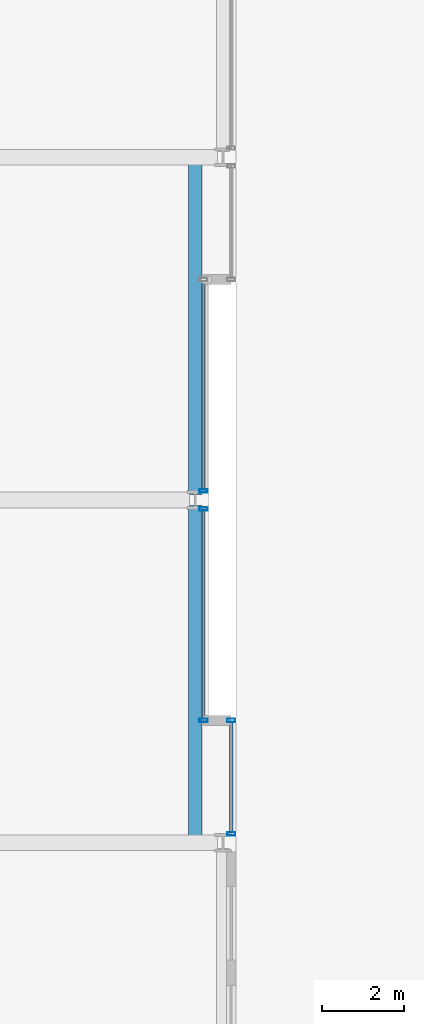
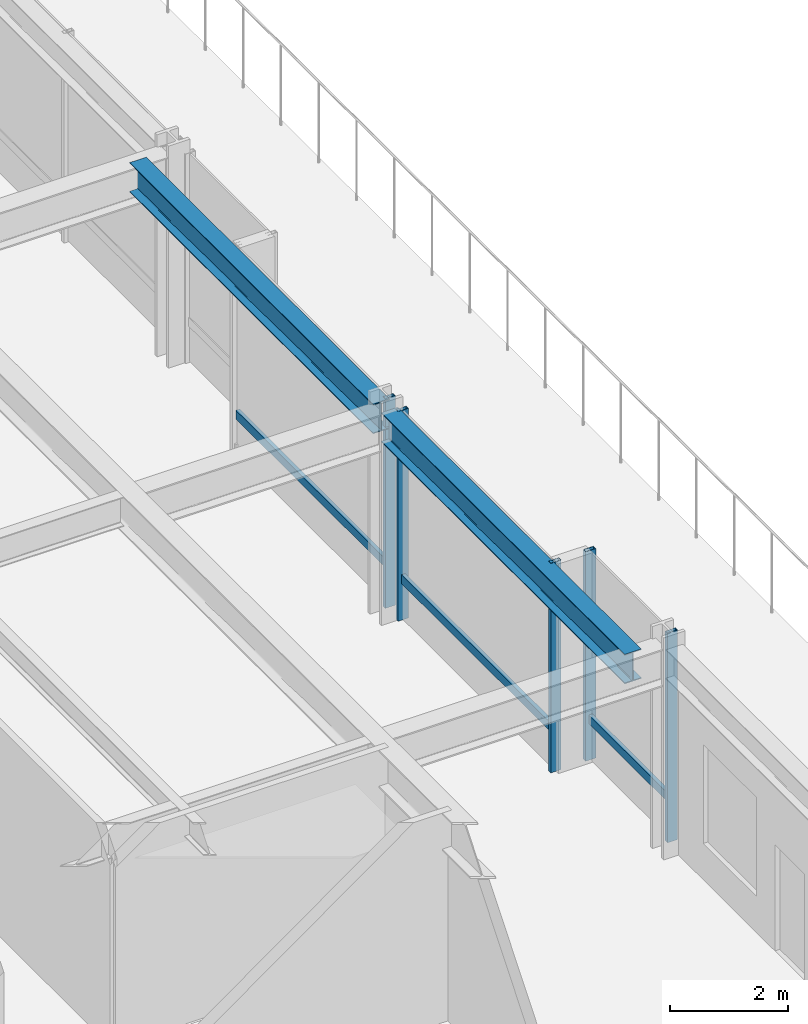
# One storey, part 15 of 33: 8 members, 2 beams, 3 elements without a shape of their own.
"""IFC4 building model written with IfcOpenShell, lengths in metres."""

from ifc_helpers import new_model, si_unit, direction, frame, origin, origin_2d, place, context, subcontext, project, spatial, hollow_rectangle, i_section, extrude, material, layer, layer_set, material_profile, profile_set, type_object, element, aggregate, save


model = new_model("IFC4")

# Units and contexts
model_context = context("Model", 3, precision=1e-05, world=origin(), true_north=direction((0.0, 1.0)))
body_context = subcontext(model_context, "Body", "Model", "MODEL_VIEW")
ifc_project = project(units=[si_unit("LENGTHUNIT", "METRE"), si_unit("AREAUNIT", "SQUARE_METRE"), si_unit("VOLUMEUNIT", "CUBIC_METRE"), si_unit("PLANEANGLEUNIT", "RADIAN"), si_unit("MASSUNIT", "GRAM", prefix="KILO")], contexts=[model_context])

# Site, building, storey
site_placement = place(None, origin())
site = spatial("IfcSite", under=ifc_project, at=site_placement, CompositionType="ELEMENT")
building_placement = place(site_placement, origin())
building = spatial("IfcBuilding", under=site, at=building_placement, Name="Drelvath Grand Hotel", CompositionType="ELEMENT")
storey_placement = place(building_placement, frame((0.0, 0.0, 87.199951171875)))
storey = spatial("IfcBuildingStorey", under=building, at=storey_placement, Name="L21", CompositionType="ELEMENT", Elevation=87.199951171875)

# Curtain wall, member
ifc_material_1 = material(Name="Champagne Bronze Anodised Aluminium Frame", Category="aluminium")
ifc_layer = layer(ifc_material_1, 0.199951171875)
ifc_layer_set = layer_set([ifc_layer], Name="Champagne Bronze Anodised Aluminium Frame")
curtain_wall_type = type_object("IfcCurtainWallType", Name="Stick Curtain Wall CW-03 Champagne Bronze Mid-Rise", PredefinedType="NOTDEFINED", material=ifc_layer_set)
curtain_wall_1_placement = place(storey_placement, origin())
curtain_wall_1 = element("IfcCurtainWall", 1, at=curtain_wall_1_placement, inside=storey, type_object=curtain_wall_type, Name="L21 CW-03 Curtain Wall CW03-L21-EM1", PredefinedType="NOTDEFINED")
ifc_material_profile_1 = material_profile(ifc_material_1, hollow_rectangle(XDim=0.074951171875, YDim=0.179931640625, WallThickness=0.0048828125, at=origin_2d()), Name="HSS180X75X5")
ifc_profile_set_1 = profile_set([ifc_material_profile_1], Name="Champagne Bronze Anodised Aluminium Frame")
member_type_1 = type_object("IfcMemberType", Name="Curtain Wall Horizontal Transom CW-03 HSS180X75X5", PredefinedType="USERDEFINED", material=ifc_profile_set_1)
member_1_placement = place(storey_placement, frame((21.39990234375, 26.740478515625, 0.85009765625), z_axis=(0.0, -1.0, 0.0), x_axis=(1.0, 0.0, 0.0)))
member_1 = element("IfcMember", 2, at=member_1_placement, type_object=member_type_1, Name="CW03-L21-EM1 Sill Transom", ObjectType="TRANSOM", PredefinedType="USERDEFINED", context=body_context, shape_type="SweptSolid", body=[
    extrude(hollow_rectangle(XDim=0.074951171875, YDim=0.179931640625, WallThickness=0.0048828125, at=origin_2d()), origin(), (0.0, 0.0, 1.0), 5.1005859375),
])

curtain_wall_2_placement = place(storey_placement, origin())
curtain_wall_2 = element("IfcCurtainWall", 3, at=curtain_wall_2_placement, inside=storey, type_object=curtain_wall_type, Name="L21 CW-03 Curtain Wall CW03-L21-EM2", PredefinedType="NOTDEFINED")
member_2_placement = place(storey_placement, frame((21.39990234375, 32.360107421875, 0.85009765625), z_axis=(0.0, -1.0, 0.0), x_axis=(1.0, 0.0, 0.0)))
member_2 = element("IfcMember", 4, at=member_2_placement, type_object=member_type_1, Name="CW03-L21-EM2 Sill Transom", ObjectType="TRANSOM", PredefinedType="USERDEFINED", context=body_context, shape_type="SweptSolid", body=[
    extrude(hollow_rectangle(XDim=0.074951171875, YDim=0.179931640625, WallThickness=0.0048828125, at=origin_2d()), origin(), (0.0, 0.0, 1.0), 5.1005859375),
])

curtain_wall_3_placement = place(storey_placement, origin())
curtain_wall_3 = element("IfcCurtainWall", 5, at=curtain_wall_3_placement, inside=storey, type_object=curtain_wall_type, Name="L21 CW-03 Curtain Wall CW03-L21-ES3", PredefinedType="NOTDEFINED")
member_3_placement = place(storey_placement, frame((22.080078125, 21.56005859375, 0.85009765625), z_axis=(0.0, -1.0, 0.0), x_axis=(1.0, 0.0, 0.0)))
member_3 = element("IfcMember", 6, at=member_3_placement, type_object=member_type_1, Name="CW03-L21-ES3 Sill Transom", ObjectType="TRANSOM", PredefinedType="USERDEFINED", context=body_context, shape_type="SweptSolid", body=[
    extrude(hollow_rectangle(XDim=0.074951171875, YDim=0.179931640625, WallThickness=0.0048828125, at=origin_2d()), origin(), (0.0, 0.0, 1.0), 2.700439453125),
])

# Member
ifc_material_profile_2 = material_profile(ifc_material_1, hollow_rectangle(XDim=0.080078125, YDim=0.199951171875, WallThickness=0.0048828125, at=origin_2d()), Name="HSS200X80X5")
ifc_profile_set_2 = profile_set([ifc_material_profile_2], Name="Champagne Bronze Anodised Aluminium Frame")
member_type_2 = type_object("IfcMemberType", Name="Curtain Wall Vertical Mullion CW-03 HSS200X80X5", PredefinedType="MULLION", material=ifc_profile_set_2)
member_4_placement = place(storey_placement, frame((21.39990234375, 26.780517578125, 0.0), z_axis=(0.0, 0.0, 1.0), x_axis=(0.0, 1.0, 0.0)))
member_4 = element("IfcMember", 7, at=member_4_placement, type_object=member_type_2, Name="CW03-L21-EM1 Mullion 1", PredefinedType="MULLION", context=body_context, shape_type="SweptSolid", body=[
    extrude(hollow_rectangle(XDim=0.080078125, YDim=0.199951171875, WallThickness=0.0048828125, at=origin_2d()), origin(), (0.0, 0.0, 1.0), 4.340087890625),
])

member_5_placement = place(storey_placement, frame((21.39990234375, 21.60009765625, 0.0), z_axis=(0.0, 0.0, 1.0), x_axis=(0.0, 1.0, 0.0)))
member_5 = element("IfcMember", 8, at=member_5_placement, type_object=member_type_2, Name="CW03-L21-EM1 Mullion 2", PredefinedType="MULLION", context=body_context, shape_type="SweptSolid", body=[
    extrude(hollow_rectangle(XDim=0.080078125, YDim=0.199951171875, WallThickness=0.0048828125, at=origin_2d()), origin(), (0.0, 0.0, 1.0), 4.340087890625),
])

aggregate(curtain_wall_1, [member_4, member_5, member_1])

member_6_placement = place(storey_placement, frame((21.39990234375, 27.219482421875, 0.0), z_axis=(0.0, 0.0, 1.0), x_axis=(0.0, 1.0, 0.0)))
member_6 = element("IfcMember", 9, at=member_6_placement, type_object=member_type_2, Name="CW03-L21-EM2 Mullion 2", PredefinedType="MULLION", context=body_context, shape_type="SweptSolid", body=[
    extrude(hollow_rectangle(XDim=0.080078125, YDim=0.199951171875, WallThickness=0.0048828125, at=origin_2d()), origin(), (0.0, 0.0, 1.0), 4.340087890625),
])

aggregate(curtain_wall_2, [member_6, member_2])

member_7_placement = place(storey_placement, frame((22.080078125, 21.60009765625, 0.0), z_axis=(0.0, 0.0, 1.0), x_axis=(0.0, 1.0, 0.0)))
member_7 = element("IfcMember", 10, at=member_7_placement, type_object=member_type_2, Name="CW03-L21-ES3 Mullion 1", PredefinedType="MULLION", context=body_context, shape_type="SweptSolid", body=[
    extrude(hollow_rectangle(XDim=0.080078125, YDim=0.199951171875, WallThickness=0.0048828125, at=origin_2d()), origin(), (0.0, 0.0, 1.0), 4.340087890625),
])

member_8_placement = place(storey_placement, frame((22.080078125, 18.819580078125, 0.0), z_axis=(0.0, 0.0, 1.0), x_axis=(0.0, 1.0, 0.0)))
member_8 = element("IfcMember", 11, at=member_8_placement, type_object=member_type_2, Name="CW03-L21-ES3 Mullion 2", PredefinedType="MULLION", context=body_context, shape_type="SweptSolid", body=[
    extrude(hollow_rectangle(XDim=0.080078125, YDim=0.199951171875, WallThickness=0.0048828125, at=origin_2d()), origin(), (0.0, 0.0, 1.0), 4.340087890625),
])

aggregate(curtain_wall_3, [member_7, member_8, member_3])

# Beams
ifc_material_2 = material(Name="Steel ASTM A992 Gr 50", Category="steel")
ifc_material_profile_3 = material_profile(ifc_material_2, i_section(OverallWidth=0.323974609375, OverallDepth=0.611083984375, WebThickness=0.0126953125, FlangeThickness=0.01904296875, FilletRadius=0.02197265625, at=origin_2d()), Name="W24X104")
ifc_profile_set_3 = profile_set([ifc_material_profile_3], Name="Steel ASTM A992 Gr 50")
beam_type = type_object("IfcBeamType", Name="Perimeter Spandrel Beam W24X104", PredefinedType="SPANDREL", material=ifc_profile_set_3)
for number, where, z_axis, x_axis, name in (
    (12, (21.199951171875, 18.60009765625, 4.03466796875), (0.0, 1.0, 0.0), (-1.0, 0.0, 0.0), "L21 Spandrel East Mid S"),
    (13, (21.199951171875, 27.139892578125, 4.03466796875), (0.0, 1.0, 0.0), (-1.0, 0.0, 0.0), "L21 Spandrel East Mid N"),
):
    element("IfcBeam", number, at=place(storey_placement, frame(where, z_axis=z_axis, x_axis=x_axis)), inside=storey, type_object=beam_type, Name=name, PredefinedType="SPANDREL", context=body_context, shape_type="SweptSolid", body=[
        extrude(i_section(OverallWidth=0.323974609375, OverallDepth=0.611083984375, WebThickness=0.0126953125, FlangeThickness=0.01904296875, FilletRadius=0.02197265625, at=origin_2d()), origin(), (0.0, 0.0, 1.0), 8.260009765625),
    ])

save(model, "model.ifc")
